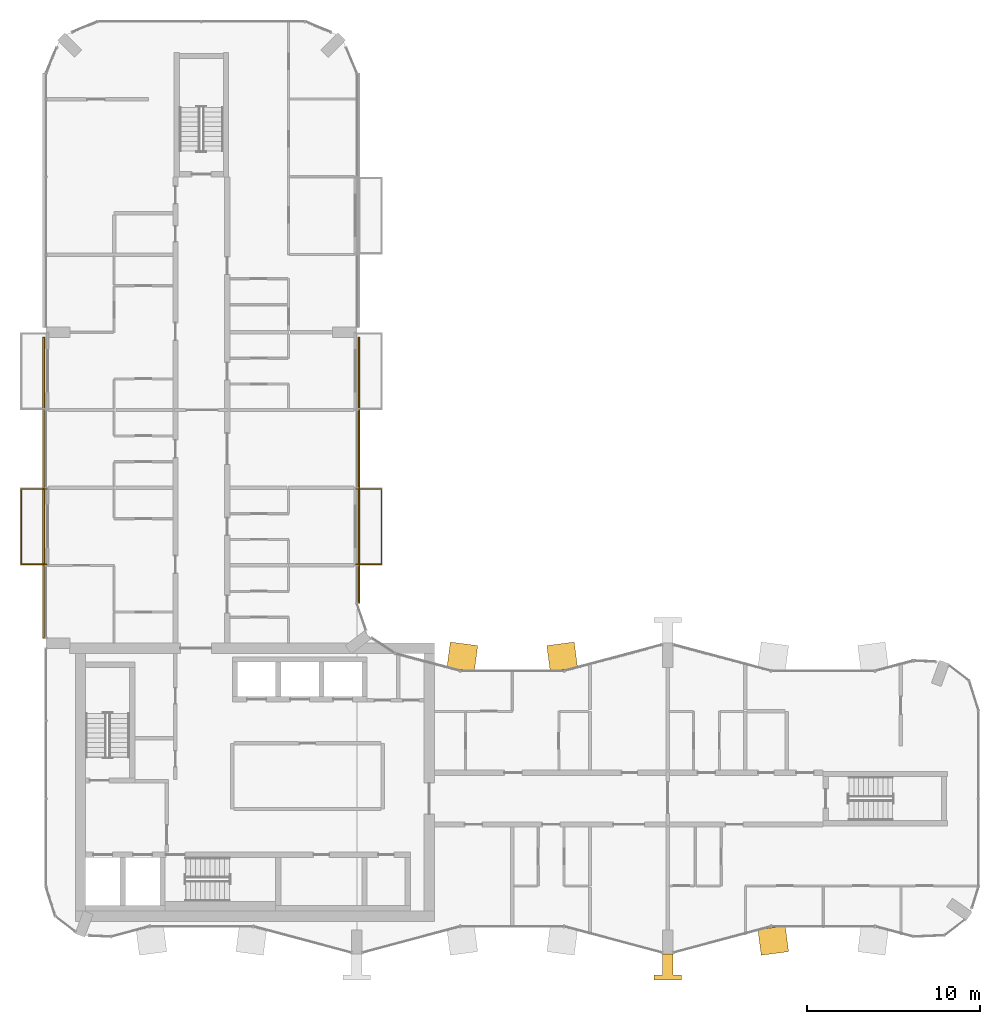
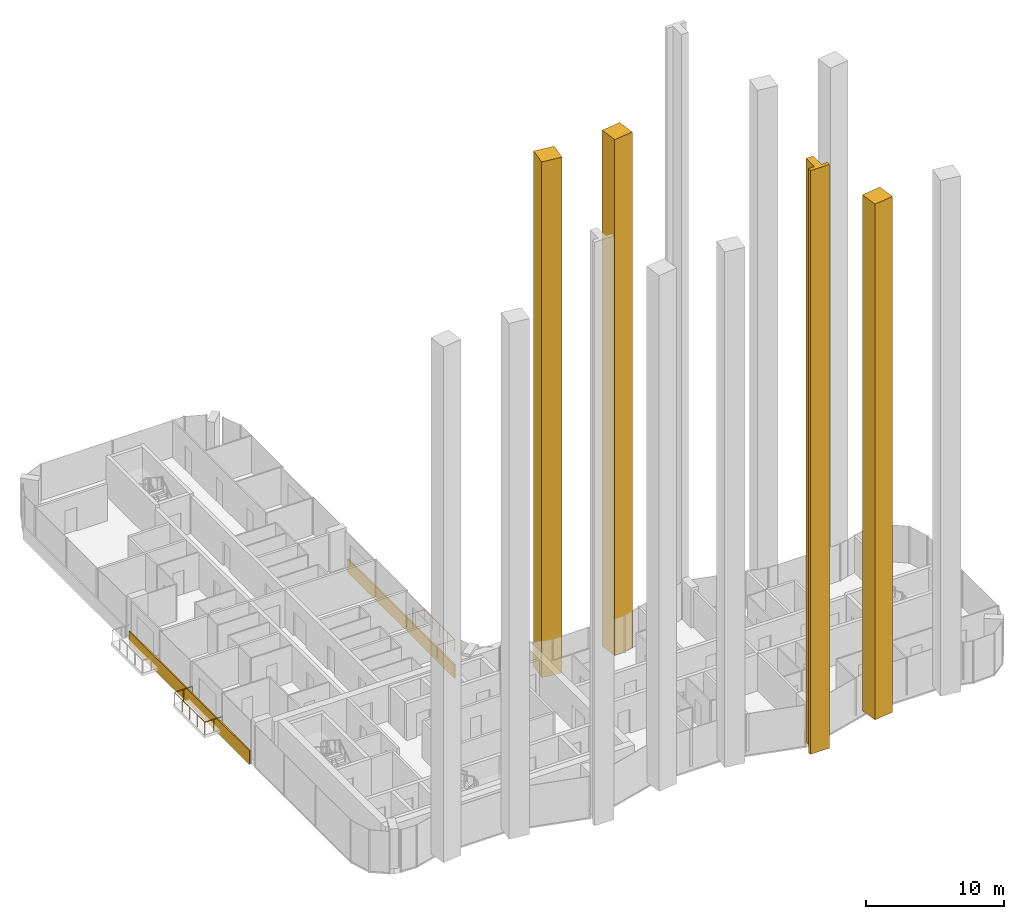
# One storey, part 16 of 18: 6 coverings, 2 railings.
"""IFC4 building model written with IfcOpenShell, lengths in metres."""

from ifc_helpers import new_model, si_unit, direction, frame, origin, origin_2d, place, context, subcontext, project, spatial, polyline, rectangle, circle, outline, extrude, material, layer, layer_set, type_object, element, save


model = new_model("IFC4")

# Units and contexts
model_context = context("Model", 3, precision=1e-05, world=origin(), true_north=direction((0.0, 1.0)))
body_context = subcontext(model_context, "Body", "Model", "MODEL_VIEW")
ifc_project = project(units=[si_unit("LENGTHUNIT", "METRE"), si_unit("AREAUNIT", "SQUARE_METRE"), si_unit("VOLUMEUNIT", "CUBIC_METRE"), si_unit("PLANEANGLEUNIT", "RADIAN"), si_unit("MASSUNIT", "GRAM", prefix="KILO")], contexts=[model_context])

# Site, building, storey
site_placement = place(None, origin())
site = spatial("IfcSite", under=ifc_project, at=site_placement, CompositionType="ELEMENT")
building_placement = place(site_placement, origin())
building = spatial("IfcBuilding", under=site, at=building_placement, Name="Plateau Cross Towers", CompositionType="ELEMENT")
storey_placement = place(building_placement, frame((0.0, 0.0, 139.39990234375)))
storey = spatial("IfcBuildingStorey", under=building, at=storey_placement, Name="L35", CompositionType="ELEMENT", Elevation=139.39990234375)

# Coverings
ifc_material_1 = material(Name="Light precast concrete cladding C40/50", Category="concrete")
covering_type_1 = type_object("IfcCoveringType", Name="Flute pier cladding 1600x1500", PredefinedType="CLADDING", material=ifc_material_1)
covering_1_placement = place(storey_placement, origin())
element("IfcCovering", 1, at=covering_1_placement, inside=storey, type_object=covering_type_1, Name="Flute pier", PredefinedType="CLADDING", context=body_context, shape_type="SweptSolid", body=[
    extrude(outline(polyline([(30.7822265625, 16.580322265625), (29.19580078125, 16.37158203125), (29.000244140625, 17.85888671875), (30.58642578125, 18.067626953125), (30.7822265625, 16.580322265625)])), origin(), (0.0, 0.0, 1.0), 45.5),
])
covering_2_placement = place(storey_placement, origin())
element("IfcCovering", 2, at=covering_2_placement, inside=storey, type_object=covering_type_1, Name="Flute pier", PredefinedType="CLADDING", context=body_context, shape_type="SweptSolid", body=[
    extrude(outline(polyline([(24.80419921875, 16.37158203125), (23.2177734375, 16.580322265625), (23.41357421875, 18.067626953125), (24.999755859375, 17.85888671875), (24.80419921875, 16.37158203125)])), origin(), (0.0, 0.0, 1.0), 45.5),
])
covering_3_placement = place(storey_placement, origin())
element("IfcCovering", 3, at=covering_3_placement, inside=storey, type_object=covering_type_1, Name="Flute pier", PredefinedType="CLADDING", context=body_context, shape_type="SweptSolid", body=[
    extrude(outline(polyline([(41.2177734375, 1.419677734375), (42.80419921875, 1.62841796875), (42.999755859375, 0.14111328125), (41.41357421875, -0.067626953125), (41.2177734375, 1.419677734375)])), origin(), (0.0, 0.0, 1.0), 45.5),
])

# Railings
ifc_material_2 = material(Name="Stainless steel and toughened glass", Category="steel")
railing_type = type_object("IfcRailingType", Name="Glass balustrade guard 1100", PredefinedType="GUARDRAIL", material=ifc_material_2)
railing_1_placement = place(storey_placement, frame((0.050048828125, 22.570068359375, 0.0)))
element("IfcRailing", 4, at=railing_1_placement, inside=storey, type_object=railing_type, Name="Guard guard1", PredefinedType="GUARDRAIL", context=body_context, shape_type="SweptSolid", body=[
    extrude(circle(Radius=0.02392578125, at=origin_2d()), frame((0.0, 0.0, 1.076171875), z_axis=(-1.0, 0.0, 0.0), x_axis=(0.0, -1.0, 0.0)), (0.0, 0.0, 1.0), 1.47998046875),
    extrude(circle(Radius=0.02392578125, at=origin_2d()), frame((-1.47998046875, 0.0, 1.076171875), z_axis=(0.0, 1.0, 0.0), x_axis=(-1.0, 0.0, 0.0)), (0.0, 0.0, 1.0), 4.35986328125),
    extrude(circle(Radius=0.02392578125, at=origin_2d()), frame((-1.47998046875, 4.35986328125, 1.076171875), z_axis=(1.0, 0.0, 0.0), x_axis=(0.0, 1.0, 0.0)), (0.0, 0.0, 1.0), 1.47998046875),
    extrude(circle(Radius=0.02099609375, at=origin_2d()), origin(), (0.0, 0.0, 1.0), 1.052001953125),
    extrude(circle(Radius=0.02099609375, at=origin_2d()), frame((-0.739990234375, 0.0, 0.0)), (0.0, 0.0, 1.0), 1.052001953125),
    extrude(circle(Radius=0.02099609375, at=origin_2d()), frame((-1.47998046875, 0.0, 0.0)), (0.0, 0.0, 1.0), 1.052001953125),
    extrude(circle(Radius=0.02099609375, at=origin_2d()), frame((-1.47998046875, 1.08984375, 0.0)), (0.0, 0.0, 1.0), 1.052001953125),
    extrude(circle(Radius=0.02099609375, at=origin_2d()), frame((-1.47998046875, 2.179931640625, 0.0)), (0.0, 0.0, 1.0), 1.052001953125),
    extrude(circle(Radius=0.02099609375, at=origin_2d()), frame((-1.47998046875, 3.27001953125, 0.0)), (0.0, 0.0, 1.0), 1.052001953125),
    extrude(circle(Radius=0.02099609375, at=origin_2d()), frame((-1.47998046875, 4.35986328125, 0.0)), (0.0, 0.0, 1.0), 1.052001953125),
    extrude(circle(Radius=0.02099609375, at=origin_2d()), frame((-0.739990234375, 4.35986328125, 0.0)), (0.0, 0.0, 1.0), 1.052001953125),
    extrude(circle(Radius=0.02099609375, at=origin_2d()), frame((0.0, 4.35986328125, 0.0)), (0.0, 0.0, 1.0), 1.052001953125),
])
railing_2_placement = place(storey_placement, frame((17.949951171875, 26.929931640625, 0.0)))
element("IfcRailing", 5, at=railing_2_placement, inside=storey, type_object=railing_type, Name="Guard guard1", PredefinedType="GUARDRAIL", context=body_context, shape_type="SweptSolid", body=[
    extrude(circle(Radius=0.02392578125, at=origin_2d()), frame((0.0, 0.0, 1.076171875), z_axis=(1.0, 0.0, 0.0), x_axis=(0.0, 1.0, 0.0)), (0.0, 0.0, 1.0), 1.47998046875),
    extrude(circle(Radius=0.02392578125, at=origin_2d()), frame((1.47998046875, 0.0, 1.076171875), z_axis=(0.0, -1.0, 0.0), x_axis=(1.0, 0.0, 0.0)), (0.0, 0.0, 1.0), 4.35986328125),
    extrude(circle(Radius=0.02392578125, at=origin_2d()), frame((1.47998046875, -4.35986328125, 1.076171875), z_axis=(-1.0, 0.0, 0.0), x_axis=(0.0, -1.0, 0.0)), (0.0, 0.0, 1.0), 1.47998046875),
    extrude(circle(Radius=0.02099609375, at=origin_2d()), origin(), (0.0, 0.0, 1.0), 1.052001953125),
    extrude(circle(Radius=0.02099609375, at=origin_2d()), frame((0.739990234375, 0.0, 0.0)), (0.0, 0.0, 1.0), 1.052001953125),
    extrude(circle(Radius=0.02099609375, at=origin_2d()), frame((1.47998046875, 0.0, 0.0)), (0.0, 0.0, 1.0), 1.052001953125),
    extrude(circle(Radius=0.02099609375, at=origin_2d()), frame((1.47998046875, -1.08984375, 0.0)), (0.0, 0.0, 1.0), 1.052001953125),
    extrude(circle(Radius=0.02099609375, at=origin_2d()), frame((1.47998046875, -2.179931640625, 0.0)), (0.0, 0.0, 1.0), 1.052001953125),
    extrude(circle(Radius=0.02099609375, at=origin_2d()), frame((1.47998046875, -3.27001953125, 0.0)), (0.0, 0.0, 1.0), 1.052001953125),
    extrude(circle(Radius=0.02099609375, at=origin_2d()), frame((1.47998046875, -4.35986328125, 0.0)), (0.0, 0.0, 1.0), 1.052001953125),
    extrude(circle(Radius=0.02099609375, at=origin_2d()), frame((0.739990234375, -4.35986328125, 0.0)), (0.0, 0.0, 1.0), 1.052001953125),
    extrude(circle(Radius=0.02099609375, at=origin_2d()), frame((0.0, -4.35986328125, 0.0)), (0.0, 0.0, 1.0), 1.052001953125),
])

# Coverings
covering_type_2 = type_object("IfcCoveringType", Name="Pier fin cladding 1600x1500", PredefinedType="CLADDING", material=ifc_material_1)
covering_4_placement = place(storey_placement, origin())
element("IfcCovering", 6, at=covering_4_placement, inside=storey, type_object=covering_type_2, Name="Pier fin PR2", PredefinedType="CLADDING", context=body_context, shape_type="SweptSolid", body=[
    extrude(outline(polyline([(35.699951171875, 0.0), (36.300048828125, 0.0), (36.300048828125, -1.199951171875), (36.800048828125, -1.199951171875), (36.800048828125, -1.5), (35.199951171875, -1.5), (35.199951171875, -1.199951171875), (35.699951171875, -1.199951171875), (35.699951171875, 0.0)])), origin(), (0.0, 0.0, 1.0), 51.5),
])
ifc_material_3 = material(Name="Precast concrete cladding C40/50", Category="concrete")
ifc_layer = layer(ifc_material_3, 0.10009765625)
ifc_layer_set = layer_set([ifc_layer], Name="Precast concrete cladding C40/50")
covering_type_3 = type_object("IfcCoveringType", Name="Spandrel band cladding 100x1200", PredefinedType="CLADDING", material=ifc_layer_set)
covering_5_placement = place(storey_placement, frame((18.1201171875, 28.001220703125, -0.5), z_axis=(0.0, 0.0, 1.0), x_axis=(0.0, 1.0, 0.0)))
element("IfcCovering", 7, at=covering_5_placement, inside=storey, type_object=covering_type_3, Name="Spandrel band", PredefinedType="CLADDING", context=body_context, shape_type="SweptSolid", body=[
    extrude(rectangle(XDim=15.397705078125, YDim=0.10009765625, at=origin_2d()), origin(), (0.0, 0.0, 1.0), 1.199951171875),
])
covering_6_placement = place(storey_placement, frame((-0.1201171875, 27.0, -0.5), z_axis=(0.0, 0.0, 1.0), x_axis=(0.0, -1.0, 0.0)))
element("IfcCovering", 8, at=covering_6_placement, inside=storey, type_object=covering_type_3, Name="Spandrel band", PredefinedType="CLADDING", context=body_context, shape_type="SweptSolid", body=[
    extrude(rectangle(XDim=17.39990234375, YDim=0.10009765625, at=origin_2d()), origin(), (0.0, 0.0, 1.0), 1.199951171875),
])

save(model, "model.ifc")
